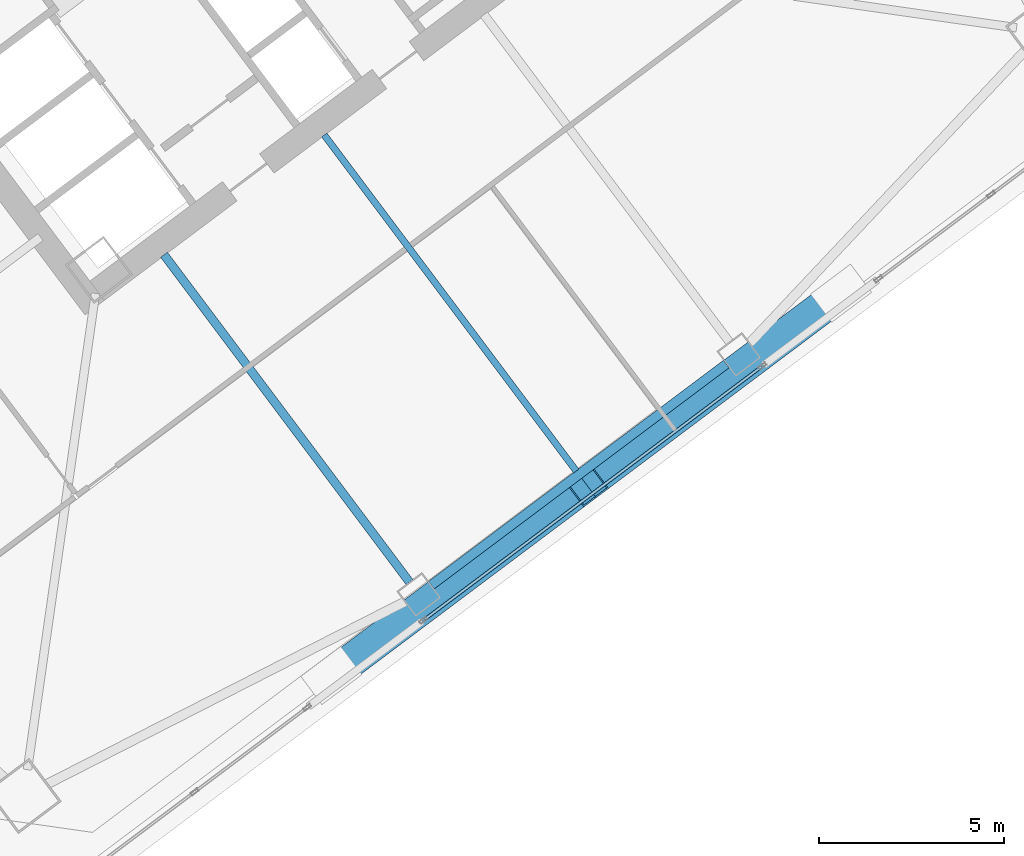
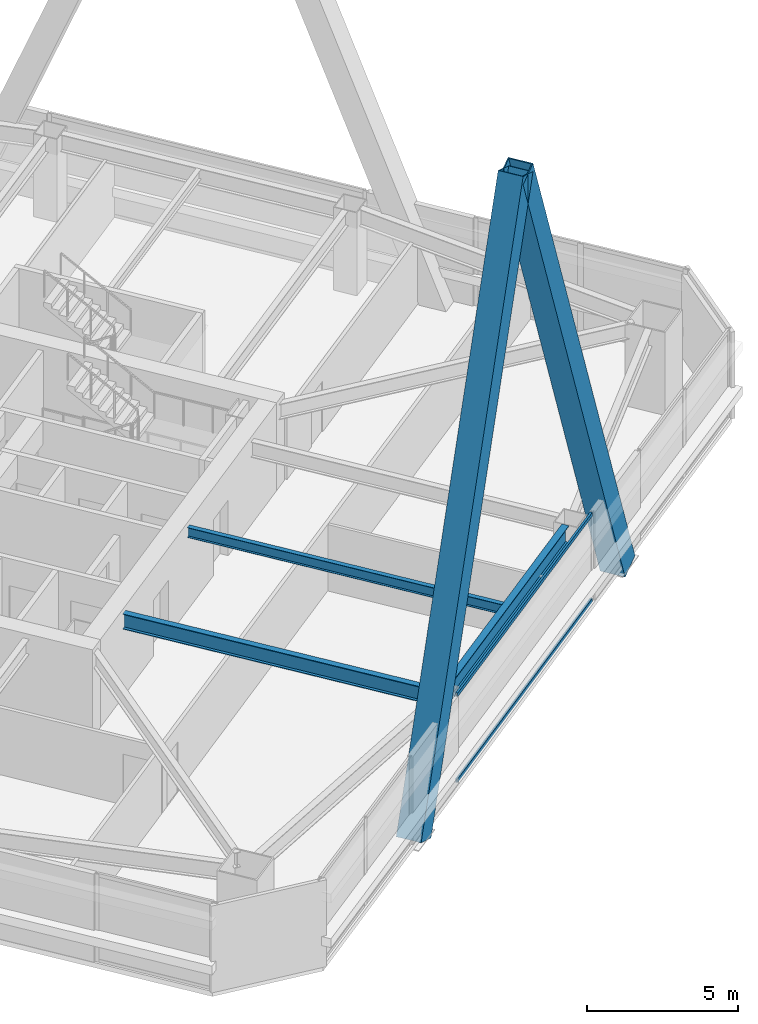
# One storey, part 29 of 54: 4 members, 3 beams, 1 element without a shape of its own.
"""IFC4 building model written with IfcOpenShell, lengths in metres."""

from ifc_helpers import new_model, si_unit, direction, frame, origin, origin_2d, place, context, subcontext, project, spatial, hollow_rectangle, i_section, extrude, material, material_profile, profile_set, type_object, element, aggregate, save


model = new_model("IFC4")

# Units and contexts
model_context = context("Model", 3, precision=1e-05, world=origin(), true_north=direction((0.0, 1.0)))
body_context = subcontext(model_context, "Body", "Model", "MODEL_VIEW")
ifc_project = project(units=[si_unit("LENGTHUNIT", "METRE"), si_unit("AREAUNIT", "SQUARE_METRE"), si_unit("VOLUMEUNIT", "CUBIC_METRE"), si_unit("PLANEANGLEUNIT", "RADIAN"), si_unit("MASSUNIT", "GRAM", prefix="KILO")], contexts=[model_context])

# Site, building, storey
site_placement = place(None, origin())
site = spatial("IfcSite", under=ifc_project, at=site_placement, CompositionType="ELEMENT")
building_placement = place(site_placement, origin())
building = spatial("IfcBuilding", under=site, at=building_placement, Name="Tashvorn Skyway Center", CompositionType="ELEMENT")
storey_placement = place(building_placement, frame((0.0, 0.0, 88.5)))
storey = spatial("IfcBuildingStorey", under=building, at=storey_placement, Name="L23", CompositionType="ELEMENT", Elevation=88.5)

# Beams
ifc_material_1 = material(Name="Steel ASTM A992 Grade 50", Category="steel")
ifc_material_profile_1 = material_profile(ifc_material_1, i_section(OverallWidth=0.22998046875, OverallDepth=0.616943359375, WebThickness=0.01318359375, FlangeThickness=0.022216796875, at=origin_2d()), Name="W24X94")
ifc_profile_set_1 = profile_set([ifc_material_profile_1], Name="Steel ASTM A992 Grade 50")
beam_type_1 = type_object("IfcBeamType", Name="BM-BEAM-W24X94", PredefinedType="BEAM", material=ifc_profile_set_1)
beam_1_placement = place(storey_placement, frame((120.97802734375, 13.696044921875, 3.04150390625), z_axis=(-0.60001414024, 0.799989394625, 0.0), x_axis=(-0.799989394625, -0.60001414024, 0.0)))
element("IfcBeam", 1, at=beam_1_placement, inside=storey, type_object=beam_type_1, Name="Tower 2 L23 Primary Floor Girder FC-S1", PredefinedType="BEAM", context=body_context, shape_type="SweptSolid", body=[
    extrude(i_section(OverallWidth=0.22998046875, OverallDepth=0.616943359375, WebThickness=0.01318359375, FlangeThickness=0.022216796875, at=origin_2d()), origin(), (0.0, 0.0, 1.0), 11.050048828125),
])
ifc_material_profile_2 = material_profile(ifc_material_1, i_section(OverallWidth=0.177978515625, OverallDepth=0.406005859375, WebThickness=0.0078125, FlangeThickness=0.0126953125, at=origin_2d()), Name="W16X40")
ifc_profile_set_2 = profile_set([ifc_material_profile_2], Name="Steel ASTM A992 Grade 50")
beam_type_2 = type_object("IfcBeamType", Name="BM-JOIST-W16X40", PredefinedType="JOIST", material=ifc_profile_set_2)
beam_2_placement = place(storey_placement, frame((118.674072265625, 25.76806640625, 3.14697265625), z_axis=(0.599996555327, -0.800002583493, 0.0), x_axis=(0.800002583493, 0.599996555327, 0.0)))
element("IfcBeam", 2, at=beam_2_placement, inside=storey, type_object=beam_type_2, Name="Tower 2 L23 Secondary Composite Joist JS", PredefinedType="JOIST", context=body_context, shape_type="SweptSolid", body=[
    extrude(i_section(OverallWidth=0.177978515625, OverallDepth=0.406005859375, WebThickness=0.0078125, FlangeThickness=0.0126953125, at=origin_2d()), origin(), (0.0, 0.0, 1.0), 11.340087890625),
])
ifc_material_profile_3 = material_profile(ifc_material_1, i_section(OverallWidth=0.256103515625, OverallDepth=0.693115234375, WebThickness=0.014404296875, FlangeThickness=0.023681640625, at=origin_2d()), Name="W27X114")
ifc_profile_set_3 = profile_set([ifc_material_profile_3], Name="Steel ASTM A992 Grade 50")
beam_type_3 = type_object("IfcBeamType", Name="BM-SPANDREL-W27X114", PredefinedType="SPANDREL", material=ifc_profile_set_3)
beam_3_placement = place(storey_placement, frame((121.56591796875, 13.612060546875, 3.00341796875), z_axis=(0.800008824351, 0.599988234018, 0.0), x_axis=(-0.599988234018, 0.800008824351, 0.0)))
element("IfcBeam", 3, at=beam_3_placement, inside=storey, type_object=beam_type_3, Name="Tower 2 L23 Spandrel Beam 02", PredefinedType="SPANDREL", context=body_context, shape_type="SweptSolid", body=[
    extrude(i_section(OverallWidth=0.256103515625, OverallDepth=0.693115234375, WebThickness=0.014404296875, FlangeThickness=0.023681640625, at=origin_2d()), origin(), (0.0, 0.0, 1.0), 9.9599609375),
])

# Curtain wall, members
ifc_material_2 = material(Name="Thermally broken bronze-anodized aluminium 6063-T6", Category="aluminium")
curtain_wall_type = type_object("IfcCurtainWallType", Name="CW-CW-Z2", PredefinedType="NOTDEFINED", material=ifc_material_2)
curtain_wall_placement = place(storey_placement, origin())
curtain_wall = element("IfcCurtainWall", 4, at=curtain_wall_placement, inside=storey, type_object=curtain_wall_type, Name="Tower 2 L23 South Unitised Curtain Wall Glazing Group 2", PredefinedType="NOTDEFINED")
ifc_material_profile_4 = material_profile(ifc_material_2, hollow_rectangle(XDim=0.080078125, YDim=0.14990234375, WallThickness=0.00439453125, at=origin_2d()), Name="ALU-TRAN-80x150")
ifc_profile_set_4 = profile_set([ifc_material_profile_4], Name="Thermally broken bronze-anodized aluminium 6063-T6")
member_type_1 = type_object("IfcMemberType", Name="CWT-CW-Z2", PredefinedType="USERDEFINED", material=ifc_profile_set_4)
member_1_placement = place(storey_placement, frame((130.471923828125, 19.50390625, 0.0400390625), z_axis=(-0.8, -0.6, 0.0), x_axis=(0.6, -0.8, 0.0)))
member_1 = element("IfcMember", 5, at=member_1_placement, type_object=member_type_1, Name="CW-Z2 transom 1.1", ObjectType="TRANSOM", PredefinedType="USERDEFINED", context=body_context, shape_type="SweptSolid", body=[
    extrude(hollow_rectangle(XDim=0.080078125, YDim=0.14990234375, WallThickness=0.00439453125, at=origin_2d()), origin(), (0.0, 0.0, 1.0), 11.35986328125),
])
member_2_placement = place(storey_placement, frame((130.471923828125, 19.50390625, 3.510009765625), z_axis=(-0.8, -0.6, 0.0), x_axis=(0.6, -0.8, 0.0)))
member_2 = element("IfcMember", 6, at=member_2_placement, type_object=member_type_1, Name="CW-Z2 transom 1.2", ObjectType="TRANSOM", PredefinedType="USERDEFINED", context=body_context, shape_type="SweptSolid", body=[
    extrude(hollow_rectangle(XDim=0.080078125, YDim=0.14990234375, WallThickness=0.00439453125, at=origin_2d()), origin(), (0.0, 0.0, 1.0), 11.35986328125),
])
aggregate(curtain_wall, [member_1, member_2])

# Members
ifc_material_3 = material(Name="Steel ASTM A572 Grade 50", Category="steel")
ifc_material_profile_5 = material_profile(ifc_material_3, hollow_rectangle(XDim=0.89990234375, YDim=0.89990234375, WallThickness=0.0400390625, at=origin_2d()), Name="BOX900x900x40")
ifc_profile_set_5 = profile_set([ifc_material_profile_5], Name="Steel ASTM A572 Grade 50")
member_type_2 = type_object("IfcMemberType", Name="MEM-MB-900", PredefinedType="BRACE", material=ifc_profile_set_5)
for number, where, z_axis, x_axis, name in (
    (7, (118.867919921875, 11.176025390625, -0.449951171875), (0.29831470061, 0.223728086207, 0.927876113952), (-0.599986373537, 0.800010219666, 0.0), "Tower 2 Zone 2 S Chevron Mega-Brace L2"),
    (8, (132.6279296875, 21.49609375, -0.449951171875), (-0.298304350435, -0.223738848502, 0.927876846452), (0.60001816845, -0.79998637334, 0.0), "Tower 2 Zone 2 S Chevron Mega-Brace R2"),
):
    element("IfcMember", number, at=place(storey_placement, frame(where, z_axis=z_axis, x_axis=x_axis)), inside=storey, type_object=member_type_2, Name=name, PredefinedType="BRACE", context=body_context, shape_type="SweptSolid", body=[
        extrude(hollow_rectangle(XDim=0.89990234375, YDim=0.89990234375, WallThickness=0.0400390625, at=origin_2d()), origin(), (0.0, 0.0, 1.0), 23.063232421875),
    ])

save(model, "model.ifc")
